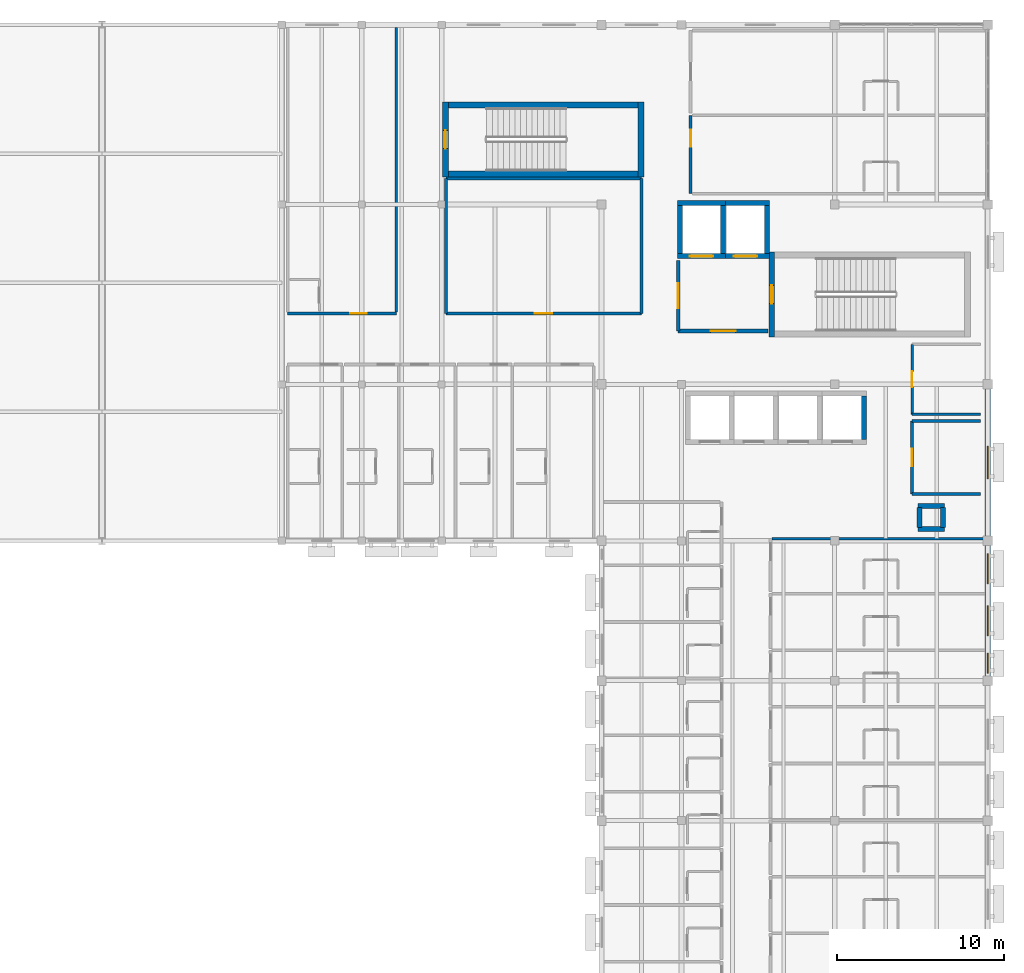
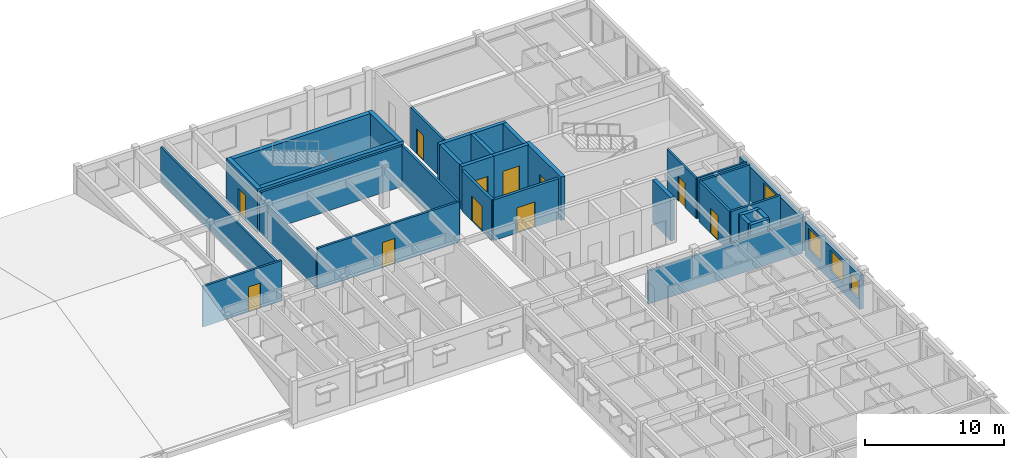
# One storey, part 33 of 40: 34 walls, 11 doors, 4 windows, 15 openings.
"""IFC4 building model written with IfcOpenShell, lengths in metres."""

import ifcopenshell
import ifcopenshell.guid

model = None  # the IFC model being written
_history = None  # IfcOwnerHistory: only IFC2X3 demands one
_inside = {}  # id of a spatial element -> (the spatial element, [elements in it])
_under = {}  # id of a project, library or spatial element -> (it, [spatial elements below it])
_declared = {}  # id of a project -> (the project, [libraries it declares])
_typed = {}  # id of a type object -> (the type object, [elements of that type])
_made_of = {}  # id of a material, layer set ... -> (it, [elements and type objects made of it])


def new_model(schema):
    """Start an empty IFC model of exactly this schema.

    Asked for "IFC4X3", IfcOpenShell would pick the latest addendum, in which some entities
    have other attributes; the version numbers below select the first issue.
    IFC2X3 requires an IfcOwnerHistory on every rooted entity: one is made here for all.
    """
    global model, _history
    if schema == "IFC4X3":
        model = ifcopenshell.file(schema_version=(4, 3, 0, 0))
    else:
        model = ifcopenshell.file(schema=schema)
    _inside.clear()
    _under.clear()
    _declared.clear()
    _typed.clear()
    _made_of.clear()
    _history = None
    if model.schema == "IFC2X3":
        org = make("IfcOrganization", Name="unknown")
        user = make(
            "IfcPersonAndOrganization",
            ThePerson=make("IfcPerson", FamilyName="unknown"),
            TheOrganization=org,
        )
        app = make(
            "IfcApplication",
            ApplicationDeveloper=org,
            Version="unknown",
            ApplicationFullName="unknown",
            ApplicationIdentifier="unknown",
        )
        _history = make(
            "IfcOwnerHistory",
            OwningUser=user,
            OwningApplication=app,
            ChangeAction="ADDED",
            CreationDate=0,
        )
    return model


def make(cls, **values):
    """One entity of the class cls with the attributes given. An attribute that is None is left unset."""
    return model.create_entity(
        cls, **{name: value for name, value in values.items() if value is not None}
    )


def rooted(cls, **values):
    """An entity with a GlobalId (a new one), such as an element, a storey or a relation."""
    return make(cls, GlobalId=ifcopenshell.guid.new(), OwnerHistory=_history, **values)


def si_unit(unit_type, name, prefix=None):
    """IfcSIUnit, for example si_unit("LENGTHUNIT", "METRE", prefix="MILLI")."""
    return make("IfcSIUnit", UnitType=unit_type, Prefix=prefix, Name=name)


def assignment(units):
    """IfcUnitAssignment: the units of a project."""
    return None if units is None else make("IfcUnitAssignment", Units=units)


def point(xyz):
    """IfcCartesianPoint."""
    return None if xyz is None else make("IfcCartesianPoint", Coordinates=xyz)


def direction(xyz):
    """IfcDirection."""
    return None if xyz is None else make("IfcDirection", DirectionRatios=xyz)


def frame(location, z_axis=None, x_axis=None):
    """IfcAxis2Placement3D, a coordinate frame: its origin and axes. An axis left out is left unset."""
    return make(
        "IfcAxis2Placement3D",
        Location=point(location),
        Axis=direction(z_axis),
        RefDirection=direction(x_axis),
    )


def frame_2d(location, x_axis=None):
    """IfcAxis2Placement2D, a coordinate frame in the plane: its origin and x axis."""
    return make(
        "IfcAxis2Placement2D", Location=point(location), RefDirection=direction(x_axis)
    )


def origin():
    """The frame at (0, 0, 0) with its axes left unset."""
    return frame((0.0, 0.0, 0.0))


def place(relative_to, where):
    """IfcLocalPlacement: puts the frame where relative to a parent placement (None: the world)."""
    return make(
        "IfcLocalPlacement", PlacementRelTo=relative_to, RelativePlacement=where
    )


def context(
    kind, dimensions, precision=None, world=None, true_north=None, identifier=None
):
    """IfcGeometricRepresentationContext, for example the 3D "Model" context."""
    return make(
        "IfcGeometricRepresentationContext",
        ContextIdentifier=identifier,
        ContextType=kind,
        CoordinateSpaceDimension=dimensions,
        Precision=precision,
        WorldCoordinateSystem=world,
        TrueNorth=true_north,
    )


def subcontext(parent, identifier, kind, view, scale=None):
    """IfcGeometricRepresentationSubContext, for example "Body" below "Model"."""
    return make(
        "IfcGeometricRepresentationSubContext",
        ContextIdentifier=identifier,
        ContextType=kind,
        ParentContext=parent,
        TargetScale=scale,
        TargetView=view,
    )


def project(units=None, contexts=None):
    """IfcProject with its units and contexts."""
    return rooted(
        "IfcProject",
        Name="project",
        RepresentationContexts=contexts,
        UnitsInContext=assignment(units),
    )


def spatial(cls, under=None, at=None, **own):
    """A site, building, storey or space (cls), placed at a placement, below another one or the project."""
    s = rooted(cls, ObjectPlacement=at, **own)
    if under is not None:
        _under.setdefault(under.id(), (under, []))[1].append(s)
    return s


def profile(cls, at=None, kind="AREA", **sizes):
    """A parametric profile (cls). Its sizes go by their IFC names, for example OverallWidth=200.0."""
    return make(cls, ProfileType=kind, Position=at, **sizes)


def rectangle(**sizes):
    """IfcRectangleProfileDef."""
    return profile("IfcRectangleProfileDef", **sizes)


def extrude(swept, where, along, depth):
    """IfcExtrudedAreaSolid: the profile swept, set in the frame where, extruded along a direction by depth."""
    return make(
        "IfcExtrudedAreaSolid",
        SweptArea=swept,
        Position=where,
        ExtrudedDirection=direction(along),
        Depth=depth,
    )


def shape(context_of_items, identifier, shape_type, items):
    """IfcShapeRepresentation: the items that make up one representation, for example the "Body"."""
    return make(
        "IfcShapeRepresentation",
        ContextOfItems=context_of_items,
        RepresentationIdentifier=identifier,
        RepresentationType=shape_type,
        Items=items,
    )


def material(Name=None, Category=None):
    """IfcMaterial."""
    return make("IfcMaterial", Name=Name, Category=Category)


def layer(
    of_material, thickness, ventilated=None, Name=None, Category=None, Priority=None
):
    """IfcMaterialLayer: one layer of a wall or slab, of a material (None: an air gap)."""
    return make(
        "IfcMaterialLayer",
        Material=of_material,
        LayerThickness=thickness,
        IsVentilated=ventilated,
        Name=Name,
        Category=Category,
        Priority=Priority,
    )


def layer_set(layers, Name=None):
    """IfcMaterialLayerSet."""
    return make("IfcMaterialLayerSet", MaterialLayers=layers, LayerSetName=Name)


def made_of(thing, what):
    """Note that an element or type object is made of a material, layer set ...; save() writes the relation."""
    if what is not None:
        _made_of.setdefault(what.id(), (what, []))[1].append(thing)
    return thing


def type_object(cls, material=None, **own):
    """A type object (cls), such as IfcWallType, which elements share."""
    return made_of(rooted(cls, **own), material)


def element(
    cls,
    number,
    at=None,
    inside=None,
    cuts=None,
    type_object=None,
    material=None,
    context=None,
    identifier="Body",
    shape_type=None,
    held_by="IfcProductDefinitionShape",
    body=None,
    shapes=None,
    **own,
):
    """One element of the class cls, such as IfcWall. Its Tag is "e" and its number.

    at: its placement. inside: the storey or other place that contains it. cuts: it is an
    opening in that element (IfcRelVoidsElement). A single representation is given by context,
    identifier, shape_type and body (its items); several are given by shapes. held_by: the class
    of the entity that holds the representations. save() writes the other relations.
    """
    e = rooted(cls, Tag="e%d" % number, ObjectPlacement=at, **own)
    if body is not None:
        shapes = [shape(context, identifier, shape_type, body)]
    if shapes is not None:
        e.Representation = make(held_by, Representations=shapes)
    if inside is not None:
        _inside.setdefault(inside.id(), (inside, []))[1].append(e)
    if cuts is not None:
        rooted(
            "IfcRelVoidsElement", RelatingBuildingElement=cuts, RelatedOpeningElement=e
        )
    if type_object is not None:
        _typed.setdefault(type_object.id(), (type_object, []))[1].append(e)
    return made_of(e, material)


def fill(opening, filler):
    """IfcRelFillsElement: the door or window that sits in an opening."""
    return rooted(
        "IfcRelFillsElement",
        RelatingOpeningElement=opening,
        RelatedBuildingElement=filler,
    )


def aggregate(whole, parts):
    """IfcRelAggregates: a whole, such as a stair, and the parts it consists of."""
    return rooted("IfcRelAggregates", RelatingObject=whole, RelatedObjects=parts)


def save(model, path):
    """Write the relations noted so far, then the file.

    IfcRelAggregates (storeys below a building ...), IfcRelContainedInSpatialStructure (elements
    in a storey), IfcRelDefinesByType, IfcRelAssociatesMaterial and IfcRelDeclares: one each for
    every whole, place, type object, material and project.
    """
    for whole, parts in _under.values():
        aggregate(whole, parts)
    for where, things in _inside.values():
        rooted(
            "IfcRelContainedInSpatialStructure",
            RelatedElements=things,
            RelatingStructure=where,
        )
    for kind, things in _typed.values():
        rooted("IfcRelDefinesByType", RelatedObjects=things, RelatingType=kind)
    for what, things in _made_of.values():
        rooted("IfcRelAssociatesMaterial", RelatedObjects=things, RelatingMaterial=what)
    for by, libraries in _declared.values():
        rooted("IfcRelDeclares", RelatingContext=by, RelatedDefinitions=libraries)
    model.write(path)


model = new_model("IFC4")

# Units and contexts
model_context = context("Model", 3, precision=1e-05, world=origin(), true_north=direction((0.0, 1.0)))
body_context = subcontext(model_context, "Body", "Model", "MODEL_VIEW")
ifc_project = project(units=[si_unit("LENGTHUNIT", "METRE"), si_unit("AREAUNIT", "SQUARE_METRE"), si_unit("VOLUMEUNIT", "CUBIC_METRE"), si_unit("PLANEANGLEUNIT", "RADIAN"), si_unit("MASSUNIT", "GRAM", prefix="KILO")], contexts=[model_context])

# Site, building, storey
site_placement = place(None, origin())
site = spatial("IfcSite", under=ifc_project, at=site_placement, CompositionType="ELEMENT")
building_placement = place(site_placement, origin())
building = spatial("IfcBuilding", under=site, at=building_placement, Name="Veldera Park Congress Hotel", CompositionType="ELEMENT")
storey_placement = place(building_placement, frame((0.0, 0.0, 16.199951171875)))
storey = spatial("IfcBuildingStorey", under=building, at=storey_placement, Name="L03", CompositionType="ELEMENT", Elevation=16.199951171875)

# Wall, openings, windows
ifc_material_1 = material(Name="Cross-laminated timber CLT V2M1.1", Category="wood")
ifc_layer_1 = layer(ifc_material_1, 0.320068359375)
ifc_layer_set_1 = layer_set([ifc_layer_1], Name="Cross-laminated timber CLT V2M1.1")
wall_type_1 = type_object("IfcWallType", Name="EW-CLT320", PredefinedType="STANDARD", material=ifc_layer_set_1)
wall_1_placement = place(storey_placement, frame((84.0, 18.8779296875, 0.0), z_axis=(0.0, 0.0, 1.0), x_axis=(0.0, 1.0, 0.0)))
wall_1 = element("IfcWall", 1, at=wall_1_placement, inside=storey, type_object=wall_type_1, Name="L03 Exterior Wall EW3-L03-0219", PredefinedType="STANDARD", context=body_context, shape_type="SweptSolid", body=[
    extrude(rectangle(XDim=7.843994140625, YDim=0.320068359375, at=frame_2d((3.921875, 0.0))), origin(), (0.0, 0.0, 1.0), 2.97509765625),
])
opening_1_placement = place(wall_1_placement, frame((0.176025390625, 0.0, 0.85009765625)))
opening_1 = element("IfcOpeningElement", 2, at=opening_1_placement, cuts=wall_1, Name="Opening WIN-1200", PredefinedType="OPENING", context=body_context, shape_type="SweptSolid", body=[
    extrude(rectangle(XDim=1.199951171875, YDim=1.550048828125, at=frame_2d((0.60009765625, 0.77490234375))), frame((0.0, 0.172119140625, 0.0), z_axis=(0.0, -1.0, 0.0), x_axis=(1.0, 0.0, 0.0)), (0.0, 0.0, 1.0), 0.343994140625),
])
opening_2_placement = place(wall_1_placement, frame((2.412109375, 0.0, 0.85009765625)))
opening_2 = element("IfcOpeningElement", 3, at=opening_2_placement, cuts=wall_1, Name="Opening WIN-1800", PredefinedType="OPENING", context=body_context, shape_type="SweptSolid", body=[
    extrude(rectangle(XDim=1.800048828125, YDim=1.85009765625, at=frame_2d((0.89990234375, 0.925048828125))), frame((0.0, 0.172119140625, 0.0), z_axis=(0.0, -1.0, 0.0), x_axis=(1.0, 0.0, 0.0)), (0.0, 0.0, 1.0), 0.343994140625),
])
opening_3_placement = place(wall_1_placement, frame((5.55810546875, 0.0, 0.85009765625)))
opening_3 = element("IfcOpeningElement", 4, at=opening_3_placement, cuts=wall_1, Name="Opening WIN-1800", PredefinedType="OPENING", context=body_context, shape_type="SweptSolid", body=[
    extrude(rectangle(XDim=1.800048828125, YDim=1.85009765625, at=frame_2d((0.89990234375, 0.925048828125))), frame((0.0, 0.172119140625, 0.0), z_axis=(0.0, -1.0, 0.0), x_axis=(1.0, 0.0, 0.0)), (0.0, 0.0, 1.0), 0.343994140625),
])
ifc_material_2 = material(Name="Low-E Triple Insulating Glass Unit (SHGC 0.22)", Category="glass")
window_type_1 = type_object("IfcWindowType", Name="WIN-1200", PartitioningType="SINGLE_PANEL", PredefinedType="WINDOW", material=ifc_material_2)
window_1_placement = place(opening_1_placement, origin())
window_1 = element("IfcWindow", 5, at=window_1_placement, inside=storey, type_object=window_type_1, Name="L03 Window WIN-1200 433", OverallHeight=1.550048828125, OverallWidth=1.199951171875, PartitioningType="SINGLE_PANEL", PredefinedType="WINDOW", context=body_context, shape_type="SweptSolid", body=[
    extrude(rectangle(XDim=1.199951171875, YDim=1.550048828125, at=frame_2d((0.60009765625, 0.77490234375))), frame((0.0, 0.030029296875, 0.0), z_axis=(0.0, -1.0, 0.0), x_axis=(1.0, 0.0, 0.0)), (0.0, 0.0, 1.0), 0.06005859375),
])
fill(opening_1, window_1)
window_type_2 = type_object("IfcWindowType", Name="WIN-1800", PartitioningType="SINGLE_PANEL", PredefinedType="WINDOW", material=ifc_material_2)
window_2_placement = place(opening_2_placement, origin())
window_2 = element("IfcWindow", 6, at=window_2_placement, inside=storey, type_object=window_type_2, Name="L03 Window WIN-1800 434", OverallHeight=1.85009765625, OverallWidth=1.800048828125, PartitioningType="SINGLE_PANEL", PredefinedType="WINDOW", context=body_context, shape_type="SweptSolid", body=[
    extrude(rectangle(XDim=1.800048828125, YDim=1.85009765625, at=frame_2d((0.89990234375, 0.925048828125))), frame((0.0, 0.030029296875, 0.0), z_axis=(0.0, -1.0, 0.0), x_axis=(1.0, 0.0, 0.0)), (0.0, 0.0, 1.0), 0.06005859375),
])
fill(opening_2, window_2)
window_3_placement = place(opening_3_placement, origin())
window_3 = element("IfcWindow", 7, at=window_3_placement, inside=storey, type_object=window_type_2, Name="L03 Window WIN-1800 435", OverallHeight=1.85009765625, OverallWidth=1.800048828125, PartitioningType="SINGLE_PANEL", PredefinedType="WINDOW", context=body_context, shape_type="SweptSolid", body=[
    extrude(rectangle(XDim=1.800048828125, YDim=1.85009765625, at=frame_2d((0.89990234375, 0.925048828125))), frame((0.0, 0.030029296875, 0.0), z_axis=(0.0, -1.0, 0.0), x_axis=(1.0, 0.0, 0.0)), (0.0, 0.0, 1.0), 0.06005859375),
])
fill(opening_3, window_3)

# Wall, opening, window
wall_2_placement = place(storey_placement, frame((84.0, 27.278076171875, 0.0), z_axis=(0.0, 0.0, 1.0), x_axis=(0.0, 1.0, 0.0)))
wall_2 = element("IfcWall", 8, at=wall_2_placement, inside=storey, type_object=wall_type_1, Name="L03 Exterior Wall EW3-L03-0220", PredefinedType="STANDARD", context=body_context, shape_type="SweptSolid", body=[
    extrude(rectangle(XDim=8.843994140625, YDim=0.320068359375, at=frame_2d((4.421875, 0.0))), origin(), (0.0, 0.0, 1.0), 2.97509765625),
])
opening_4_placement = place(wall_2_placement, frame((3.447021484375, 0.0, 0.85009765625)))
opening_4 = element("IfcOpeningElement", 9, at=opening_4_placement, cuts=wall_2, Name="Opening WIN-1950", PredefinedType="OPENING", context=body_context, shape_type="SweptSolid", body=[
    extrude(rectangle(XDim=1.949951171875, YDim=1.89990234375, at=frame_2d((0.97509765625, 0.949951171875))), frame((0.0, 0.172119140625, 0.0), z_axis=(0.0, -1.0, 0.0), x_axis=(1.0, 0.0, 0.0)), (0.0, 0.0, 1.0), 0.343994140625),
])
window_type_3 = type_object("IfcWindowType", Name="WIN-1950", PartitioningType="DOUBLE_PANEL_VERTICAL", PredefinedType="WINDOW", material=ifc_material_2)
window_4_placement = place(opening_4_placement, origin())
window_4 = element("IfcWindow", 10, at=window_4_placement, inside=storey, type_object=window_type_3, Name="L03 Window WIN-1950 189", OverallHeight=1.89990234375, OverallWidth=1.949951171875, PartitioningType="DOUBLE_PANEL_VERTICAL", PredefinedType="WINDOW", context=body_context, shape_type="SweptSolid", body=[
    extrude(rectangle(XDim=1.949951171875, YDim=1.89990234375, at=frame_2d((0.97509765625, 0.949951171875))), frame((0.0, 0.030029296875, 0.0), z_axis=(0.0, -1.0, 0.0), x_axis=(1.0, 0.0, 0.0)), (0.0, 0.0, 1.0), 0.06005859375),
])
fill(opening_4, window_4)

# Walls
ifc_material_3 = material(Name="Fire-Rated Gypsum Board on Cold-Formed Steel Studs", Category="steel")
ifc_layer_2 = layer(ifc_material_3, 0.179931640625)
ifc_layer_set_2 = layer_set([ifc_layer_2], Name="Fire-Rated Gypsum Board on Cold-Formed Steel Studs")
wall_type_2 = type_object("IfcWallType", Name="IW-CORR180", PredefinedType="PARTITIONING", material=ifc_layer_set_2)
for number, where, z_axis, x_axis, name in (
    (11, (79.449951171875, 29.800048828125, 0.0), (0.0, 0.0, 1.0), (1.0, 0.0, 0.0), "L03 Partition Wall IW3-L03-00222"),
    (12, (83.550048828125, 34.199951171875, 0.0), (0.0, 0.0, 1.0), (-1.0, 0.0, 0.0), "L03 Partition Wall IW3-L03-00223"),
):
    element("IfcWall", number, at=place(storey_placement, frame(where, z_axis=z_axis, x_axis=x_axis)), inside=storey, type_object=wall_type_2, Name=name, PredefinedType="PARTITIONING", context=body_context, shape_type="SweptSolid", body=[
        extrude(rectangle(XDim=4.10009765625, YDim=0.179931640625, at=frame_2d((2.050048828125, 0.0))), origin(), (0.0, 0.0, 1.0), 3.56005859375),
    ])

# Wall, opening, door
wall_3_placement = place(storey_placement, frame((79.449951171875, 34.199951171875, 0.0), z_axis=(0.0, 0.0, 1.0), x_axis=(0.0, -1.0, 0.0)))
wall_3 = element("IfcWall", 13, at=wall_3_placement, inside=storey, type_object=wall_type_2, Name="L03 Partition Wall IW3-L03-00224", PredefinedType="PARTITIONING", context=body_context, shape_type="SweptSolid", body=[
    extrude(rectangle(XDim=4.39990234375, YDim=0.179931640625, at=frame_2d((2.199951171875, 0.0))), origin(), (0.0, 0.0, 1.0), 3.56005859375),
])
opening_5_placement = place(wall_3_placement, frame((1.675048828125, 0.0, 0.0)))
opening_5 = element("IfcOpeningElement", 14, at=opening_5_placement, cuts=wall_3, Name="Opening ID-MEET105", PredefinedType="OPENING", context=body_context, shape_type="SweptSolid", body=[
    extrude(rectangle(XDim=1.050048828125, YDim=2.199951171875, at=frame_2d((0.52490234375, 1.10009765625))), frame((0.0, 0.10205078125, 0.0), z_axis=(0.0, -1.0, 0.0), x_axis=(1.0, 0.0, 0.0)), (0.0, 0.0, 1.0), 0.203857421875),
])
ifc_material_4 = material(Name="Solid Core White Oak Architectural Door", Category="wood")
door_type_1 = type_object("IfcDoorType", Name="ID-MEET105", OperationType="NOTDEFINED", PredefinedType="DOOR", material=ifc_material_4)
door_1_placement = place(opening_5_placement, origin())
door_1 = element("IfcDoor", 15, at=door_1_placement, inside=storey, type_object=door_type_1, Name="L03 L03 Housekeeping and Linen Store Door ID3-L03-0080 (DR3-ID3-L03-0080)", OperationType="SINGLE_SWING_LEFT", OverallHeight=2.199951171875, OverallWidth=1.050048828125, PredefinedType="DOOR", context=body_context, shape_type="SweptSolid", body=[
    extrude(rectangle(XDim=1.050048828125, YDim=2.199951171875, at=frame_2d((0.52490234375, 1.10009765625))), frame((0.0, 0.02490234375, 0.0), z_axis=(0.0, -1.0, 0.0), x_axis=(1.0, 0.0, 0.0)), (0.0, 0.0, 1.0), 0.050048828125),
])
fill(opening_5, door_1)

wall_4_placement = place(storey_placement, frame((51.449951171875, 40.64990234375, 0.0), z_axis=(0.0, 0.0, 1.0), x_axis=(1.0, 0.0, 0.0)))
wall_4 = element("IfcWall", 16, at=wall_4_placement, inside=storey, type_object=wall_type_2, Name="L03 Partition Wall IW3-L03-00228", PredefinedType="PARTITIONING", context=body_context, shape_type="SweptSolid", body=[
    extrude(rectangle(XDim=11.75, YDim=0.179931640625, at=frame_2d((5.875, 0.0))), origin(), (0.0, 0.0, 1.0), 3.56005859375),
])
opening_6_placement = place(wall_4_placement, frame((5.35009765625, 0.0, 0.0)))
opening_6 = element("IfcOpeningElement", 17, at=opening_6_placement, cuts=wall_4, Name="Opening ID-MEET105", PredefinedType="OPENING", context=body_context, shape_type="SweptSolid", body=[
    extrude(rectangle(XDim=1.050048828125, YDim=2.199951171875, at=frame_2d((0.52490234375, 1.10009765625))), frame((0.0, 0.10205078125, 0.0), z_axis=(0.0, -1.0, 0.0), x_axis=(1.0, 0.0, 0.0)), (0.0, 0.0, 1.0), 0.203857421875),
])
door_2_placement = place(opening_6_placement, origin())
door_2 = element("IfcDoor", 18, at=door_2_placement, inside=storey, type_object=door_type_1, Name="L03 L03 North Garden Executive Boardroom Door ID3-L03-0082 (DR3-ID3-L03-0082)", OperationType="SINGLE_SWING_LEFT", OverallHeight=2.199951171875, OverallWidth=1.050048828125, PredefinedType="DOOR", context=body_context, shape_type="SweptSolid", body=[
    extrude(rectangle(XDim=1.050048828125, YDim=2.199951171875, at=frame_2d((0.52490234375, 1.10009765625))), frame((0.0, 0.02490234375, 0.0), z_axis=(0.0, -1.0, 0.0), x_axis=(1.0, 0.0, 0.0)), (0.0, 0.0, 1.0), 0.050048828125),
])
fill(opening_6, door_2)

# Walls
wall_5_placement = place(storey_placement, frame((63.199951171875, 40.64990234375, 0.0), z_axis=(0.0, 0.0, 1.0), x_axis=(0.0, 1.0, 0.0)))
element("IfcWall", 19, at=wall_5_placement, inside=storey, type_object=wall_type_2, Name="L03 Partition Wall IW3-L03-00229", PredefinedType="PARTITIONING", context=body_context, shape_type="SweptSolid", body=[
    extrude(rectangle(XDim=8.10009765625, YDim=0.179931640625, at=frame_2d((4.050048828125, 0.0))), origin(), (0.0, 0.0, 1.0), 3.56005859375),
])
wall_6_placement = place(storey_placement, frame((63.199951171875, 48.75, 0.0), z_axis=(0.0, 0.0, 1.0), x_axis=(-1.0, 0.0, 0.0)))
element("IfcWall", 20, at=wall_6_placement, inside=storey, type_object=wall_type_2, Name="L03 Partition Wall IW3-L03-00230", PredefinedType="PARTITIONING", context=body_context, shape_type="SweptSolid", body=[
    extrude(rectangle(XDim=11.75, YDim=0.179931640625, at=frame_2d((5.875, 0.0))), origin(), (0.0, 0.0, 1.0), 3.56005859375),
])
wall_7_placement = place(storey_placement, frame((51.449951171875, 48.75, 0.0), z_axis=(0.0, 0.0, 1.0), x_axis=(0.0, -1.0, 0.0)))
element("IfcWall", 21, at=wall_7_placement, inside=storey, type_object=wall_type_2, Name="L03 Partition Wall IW3-L03-00231", PredefinedType="PARTITIONING", context=body_context, shape_type="SweptSolid", body=[
    extrude(rectangle(XDim=8.10009765625, YDim=0.179931640625, at=frame_2d((4.050048828125, 0.0))), origin(), (0.0, 0.0, 1.0), 2.9150390625),
])

# Wall, opening, door
wall_8_placement = place(storey_placement, frame((66.14990234375, 52.550048828125, 0.0), z_axis=(0.0, 0.0, 1.0), x_axis=(0.0, -1.0, 0.0)))
wall_8 = element("IfcWall", 22, at=wall_8_placement, inside=storey, type_object=wall_type_2, Name="L03 Corridor Wall IW3-L03-00786", PredefinedType="PARTITIONING", context=body_context, shape_type="SweptSolid", body=[
    extrude(rectangle(XDim=4.699951171875, YDim=0.179931640625, at=frame_2d((2.35009765625, 0.0))), origin(), (0.0, 0.0, 1.0), 3.56005859375),
])
opening_7_placement = place(wall_8_placement, frame((0.8701171875, 0.0, 0.0)))
opening_7 = element("IfcOpeningElement", 23, at=opening_7_placement, cuts=wall_8, Name="Opening ID-UNIT100", PredefinedType="OPENING", context=body_context, shape_type="SweptSolid", body=[
    extrude(rectangle(XDim=1.0, YDim=2.199951171875, at=frame_2d((0.5, 1.10009765625))), frame((0.0, 0.10205078125, 0.0), z_axis=(0.0, -1.0, 0.0), x_axis=(1.0, 0.0, 0.0)), (0.0, 0.0, 1.0), 0.203857421875),
])
door_type_2 = type_object("IfcDoorType", Name="ID-UNIT100", OperationType="NOTDEFINED", PredefinedType="DOOR", material=ifc_material_4)
door_3_placement = place(opening_7_placement, origin())
door_3 = element("IfcDoor", 24, at=door_3_placement, inside=storey, type_object=door_type_2, Name="L03 Guestroom 092 Entry Door (DR3-UD3-L03-092)", OperationType="SINGLE_SWING_RIGHT", OverallHeight=2.199951171875, OverallWidth=1.0, PredefinedType="DOOR", context=body_context, shape_type="SweptSolid", body=[
    extrude(rectangle(XDim=1.0, YDim=2.199951171875, at=frame_2d((0.5, 1.10009765625))), frame((0.0, 0.02490234375, 0.0), z_axis=(0.0, -1.0, 0.0), x_axis=(1.0, 0.0, 0.0)), (0.0, 0.0, 1.0), 0.050048828125),
])
fill(opening_7, door_3)

wall_9_placement = place(storey_placement, frame((41.949951171875, 40.64990234375, 0.0), z_axis=(0.0, 0.0, 1.0), x_axis=(1.0, 0.0, 0.0)))
wall_9 = element("IfcWall", 25, at=wall_9_placement, inside=storey, type_object=wall_type_2, Name="L03 Corridor Wall IW3-L03-00797", PredefinedType="PARTITIONING", context=body_context, shape_type="SweptSolid", body=[
    extrude(rectangle(XDim=6.530029296875, YDim=0.179931640625, at=frame_2d((3.26513671875, 0.0))), origin(), (0.0, 0.0, 1.0), 3.56005859375),
])
opening_8_placement = place(wall_9_placement, frame((3.7451171875, 0.0, 0.0)))
opening_8 = element("IfcOpeningElement", 26, at=opening_8_placement, cuts=wall_9, Name="Opening ID-UNIT100", PredefinedType="OPENING", context=body_context, shape_type="SweptSolid", body=[
    extrude(rectangle(XDim=1.0, YDim=2.199951171875, at=frame_2d((0.5, 1.10009765625))), frame((0.0, 0.10205078125, 0.0), z_axis=(0.0, -1.0, 0.0), x_axis=(1.0, 0.0, 0.0)), (0.0, 0.0, 1.0), 0.203857421875),
])
door_4_placement = place(opening_8_placement, frame((1.0, 0.0, 0.0), z_axis=(0.0, 0.0, 1.0), x_axis=(-1.0, 0.0, 0.0)))
door_4 = element("IfcDoor", 27, at=door_4_placement, inside=storey, type_object=door_type_2, Name="L03 Guestroom 094 Entry Door (DR3-UD3-L03-094)", OperationType="SINGLE_SWING_RIGHT", OverallHeight=2.199951171875, OverallWidth=1.0, PredefinedType="DOOR", context=body_context, shape_type="SweptSolid", body=[
    extrude(rectangle(XDim=1.0, YDim=2.199951171875, at=frame_2d((0.5, 1.10009765625))), frame((0.0, 0.02490234375, 0.0), z_axis=(0.0, -1.0, 0.0), x_axis=(1.0, 0.0, 0.0)), (0.0, 0.0, 1.0), 0.050048828125),
])
fill(opening_8, door_4)

ifc_material_5 = material(Name="Concrete f'c 40 MPa (5,800 psi)", Category="concrete")
ifc_layer_3 = layer(ifc_material_5, 0.219970703125)
ifc_layer_set_3 = layer_set([ifc_layer_3], Name="Concrete f'c 40 MPa (5,800 psi)")
wall_type_3 = type_object("IfcWallType", Name="IW-FIRE220", PredefinedType="STANDARD", material=ifc_layer_set_3)
wall_10_placement = place(storey_placement, frame((65.39990234375, 39.60009765625, 0.0), z_axis=(0.0, 0.0, 1.0), x_axis=(1.0, 0.0, 0.0)))
wall_10 = element("IfcWall", 28, at=wall_10_placement, inside=storey, type_object=wall_type_3, Name="L03 Partition Wall IW3-L03-00213", PredefinedType="STANDARD", context=body_context, shape_type="SweptSolid", body=[
    extrude(rectangle(XDim=5.400146484375, YDim=0.219970703125, at=frame_2d((2.7001953125, 0.0))), origin(), (0.0, 0.0, 1.0), 3.56005859375),
])
opening_9_placement = place(wall_10_placement, frame((1.949951171875, 0.0, 0.0)))
opening_9 = element("IfcOpeningElement", 29, at=opening_9_placement, cuts=wall_10, Name="Opening ID-LOB150", PredefinedType="OPENING", context=body_context, shape_type="SweptSolid", body=[
    extrude(rectangle(XDim=1.5, YDim=2.199951171875, at=frame_2d((0.75, 1.10009765625))), frame((0.0, 0.1220703125, 0.0), z_axis=(0.0, -1.0, 0.0), x_axis=(1.0, 0.0, 0.0)), (0.0, 0.0, 1.0), 0.243896484375),
])
ifc_material_6 = material(Name="Hollow Metal Fire-Rated Steel Door", Category="steel")
door_type_3 = type_object("IfcDoorType", Name="ID-LOB150", OperationType="DOUBLE_DOOR_SINGLE_SWING", PredefinedType="DOOR", material=ifc_material_6)
door_5_placement = place(opening_9_placement, origin())
door_5 = element("IfcDoor", 30, at=door_5_placement, inside=storey, type_object=door_type_3, Name="L03 Firefighting Lobby Door ID3-L03-0075 (DR3-ID3-L03-0075)", OperationType="DOUBLE_DOOR_SINGLE_SWING", OverallHeight=2.199951171875, OverallWidth=1.5, PredefinedType="DOOR", context=body_context, shape_type="SweptSolid", body=[
    extrude(rectangle(XDim=1.5, YDim=2.199951171875, at=frame_2d((0.75, 1.10009765625))), frame((0.0, 0.02490234375, 0.0), z_axis=(0.0, -1.0, 0.0), x_axis=(1.0, 0.0, 0.0)), (0.0, 0.0, 1.0), 0.050048828125),
])
fill(opening_9, door_5)

wall_11_placement = place(storey_placement, frame((65.39990234375, 43.85009765625, 0.0), z_axis=(0.0, 0.0, 1.0), x_axis=(0.0, -1.0, 0.0)))
wall_11 = element("IfcWall", 31, at=wall_11_placement, inside=storey, type_object=wall_type_3, Name="L03 Partition Wall IW3-L03-00214", PredefinedType="STANDARD", context=body_context, shape_type="SweptSolid", body=[
    extrude(rectangle(XDim=4.25, YDim=0.219970703125, at=frame_2d((2.125, 0.0))), origin(), (0.0, 0.0, 1.0), 3.56005859375),
])
opening_10_placement = place(wall_11_placement, frame((1.375, 0.0, 0.0)))
opening_10 = element("IfcOpeningElement", 32, at=opening_10_placement, cuts=wall_11, Name="Opening ID-LOB150", PredefinedType="OPENING", context=body_context, shape_type="SweptSolid", body=[
    extrude(rectangle(XDim=1.5, YDim=2.199951171875, at=frame_2d((0.75, 1.10009765625))), frame((0.0, 0.1220703125, 0.0), z_axis=(0.0, -1.0, 0.0), x_axis=(1.0, 0.0, 0.0)), (0.0, 0.0, 1.0), 0.243896484375),
])
door_6_placement = place(opening_10_placement, origin())
door_6 = element("IfcDoor", 33, at=door_6_placement, inside=storey, type_object=door_type_3, Name="L03 Firefighting Lobby Door ID3-L03-0076 (DR3-ID3-L03-0076)", OperationType="DOUBLE_DOOR_SINGLE_SWING", OverallHeight=2.199951171875, OverallWidth=1.5, PredefinedType="DOOR", context=body_context, shape_type="SweptSolid", body=[
    extrude(rectangle(XDim=1.5, YDim=2.199951171875, at=frame_2d((0.75, 1.10009765625))), frame((0.0, 0.02490234375, 0.0), z_axis=(0.0, -1.0, 0.0), x_axis=(1.0, 0.0, 0.0)), (0.0, 0.0, 1.0), 0.050048828125),
])
fill(opening_10, door_6)

# Wall
ifc_layer_4 = layer(ifc_material_3, 0.14990234375)
ifc_layer_set_4 = layer_set([ifc_layer_4], Name="Fire-Rated Gypsum Board on Cold-Formed Steel Studs")
wall_type_4 = type_object("IfcWallType", Name="IW-PLMB150", PredefinedType="PLUMBINGWALL", material=ifc_layer_set_4)
wall_12_placement = place(storey_placement, frame((79.449951171875, 34.60009765625, 0.0), z_axis=(0.0, 0.0, 1.0), x_axis=(1.0, 0.0, 0.0)))
element("IfcWall", 34, at=wall_12_placement, inside=storey, type_object=wall_type_4, Name="L03 Partition Wall IW3-L03-00225", PredefinedType="PLUMBINGWALL", context=body_context, shape_type="SweptSolid", body=[
    extrude(rectangle(XDim=4.10009765625, YDim=0.14990234375, at=frame_2d((2.050048828125, 0.0))), origin(), (0.0, 0.0, 1.0), 3.56005859375),
])

# Wall, opening, door
wall_13_placement = place(storey_placement, frame((79.449951171875, 38.800048828125, 0.0), z_axis=(0.0, 0.0, 1.0), x_axis=(0.0, -1.0, 0.0)))
wall_13 = element("IfcWall", 35, at=wall_13_placement, inside=storey, type_object=wall_type_4, Name="L03 Partition Wall IW3-L03-00227", PredefinedType="PLUMBINGWALL", context=body_context, shape_type="SweptSolid", body=[
    extrude(rectangle(XDim=4.199951171875, YDim=0.14990234375, at=frame_2d((2.10009765625, 0.0))), origin(), (0.0, 0.0, 1.0), 3.56005859375),
])
opening_11_placement = place(wall_13_placement, frame((1.625, 0.0, 0.0)))
opening_11 = element("IfcOpeningElement", 36, at=opening_11_placement, cuts=wall_13, Name="Opening ID-WC095", PredefinedType="OPENING", context=body_context, shape_type="SweptSolid", body=[
    extrude(rectangle(XDim=0.949951171875, YDim=2.14990234375, at=frame_2d((0.47509765625, 1.074951171875))), frame((0.0, 0.0869140625, 0.0), z_axis=(0.0, -1.0, 0.0), x_axis=(1.0, 0.0, 0.0)), (0.0, 0.0, 1.0), 0.173828125),
])
door_type_4 = type_object("IfcDoorType", Name="ID-WC095", OperationType="NOTDEFINED", PredefinedType="DOOR", material=ifc_material_4)
door_7_placement = place(opening_11_placement, origin())
door_7 = element("IfcDoor", 37, at=door_7_placement, inside=storey, type_object=door_type_4, Name="L03 L03 Public Accessible WC Door ID3-L03-0081 (DR3-ID3-L03-0081)", OperationType="SINGLE_SWING_RIGHT", OverallHeight=2.14990234375, OverallWidth=0.949951171875, PredefinedType="DOOR", context=body_context, shape_type="SweptSolid", body=[
    extrude(rectangle(XDim=0.949951171875, YDim=2.14990234375, at=frame_2d((0.47509765625, 1.074951171875))), frame((0.0, 0.02490234375, 0.0), z_axis=(0.0, -1.0, 0.0), x_axis=(1.0, 0.0, 0.0)), (0.0, 0.0, 1.0), 0.050048828125),
])
fill(opening_11, door_7)

# Walls
ifc_layer_5 = layer(ifc_material_1, 0.159912109375)
ifc_layer_set_5 = layer_set([ifc_layer_5], Name="Cross-laminated timber CLT V2M1.1")
wall_type_5 = type_object("IfcWallType", Name="IW-UNIT160", PredefinedType="PARTITIONING", material=ifc_layer_set_5)
wall_14_placement = place(storey_placement, frame((71.050048828125, 27.1298828125, 0.0), z_axis=(0.0, 0.0, 1.0), x_axis=(1.0, 0.0, 0.0)))
element("IfcWall", 38, at=wall_14_placement, inside=storey, type_object=wall_type_5, Name="L03 Partition Wall IW3-L03-00756", PredefinedType="PARTITIONING", context=body_context, shape_type="SweptSolid", body=[
    extrude(rectangle(XDim=12.7900390625, YDim=0.159912109375, at=frame_2d((6.39501953125, 0.0))), origin(), (0.0, 0.0, 1.0), 2.9150390625),
])
wall_15_placement = place(storey_placement, frame((48.47998046875, 40.75, 0.0), z_axis=(0.0, 0.0, 1.0), x_axis=(0.0, 1.0, 0.0)))
element("IfcWall", 39, at=wall_15_placement, inside=storey, type_object=wall_type_5, Name="L03 Partition Wall IW3-L03-00799", PredefinedType="PARTITIONING", context=body_context, shape_type="SweptSolid", body=[
    extrude(rectangle(XDim=17.090087890625, YDim=0.159912109375, at=frame_2d((8.544921875, 0.0))), origin(), (0.0, 0.0, 1.0), 3.06005859375),
])

# Wall, opening, door
ifc_layer_6 = layer(ifc_material_5, 0.35009765625)
ifc_layer_set_6 = layer_set([ifc_layer_6], Name="Concrete f'c 40 MPa (5,800 psi)")
wall_type_6 = type_object("IfcWallType", Name="SW-CORE350", PredefinedType="SHEAR", material=ifc_layer_set_6)
wall_16_placement = place(storey_placement, frame((71.02490234375, 44.35009765625, 0.0), z_axis=(0.0, 0.0, 1.0), x_axis=(0.0, -1.0, 0.0)))
wall_16 = element("IfcWall", 40, at=wall_16_placement, inside=storey, type_object=wall_type_6, Name="Stair ST1 Core Wall L03-W", PredefinedType="SHEAR", context=body_context, shape_type="SweptSolid", body=[
    extrude(rectangle(XDim=5.10009765625, YDim=0.35009765625, at=frame_2d((2.550048828125, 0.0))), origin(), (0.0, 0.0, 1.0), 3.800048828125),
])
opening_12_placement = place(wall_16_placement, frame((2.0, 0.0, 0.0)))
opening_12 = element("IfcOpeningElement", 41, at=opening_12_placement, cuts=wall_16, Name="Opening ID-STAIR110", PredefinedType="OPENING", context=body_context, shape_type="SweptSolid", body=[
    extrude(rectangle(XDim=1.10009765625, YDim=2.199951171875, at=frame_2d((0.550048828125, 1.10009765625))), frame((0.0, 0.18701171875, 0.0), z_axis=(0.0, -1.0, 0.0), x_axis=(1.0, 0.0, 0.0)), (0.0, 0.0, 1.0), 0.3740234375),
])
door_type_5 = type_object("IfcDoorType", Name="ID-STAIR110", OperationType="NOTDEFINED", PredefinedType="DOOR", material=ifc_material_6)
door_8_placement = place(opening_12_placement, origin())
door_8 = element("IfcDoor", 42, at=door_8_placement, inside=storey, type_object=door_type_5, Name="L03 Stair ST1 Fire Door (DR3-SD-ST1-L03)", OperationType="SINGLE_SWING_LEFT", OverallHeight=2.199951171875, OverallWidth=1.10009765625, PredefinedType="DOOR", context=body_context, shape_type="SweptSolid", body=[
    extrude(rectangle(XDim=1.10009765625, YDim=2.199951171875, at=frame_2d((0.550048828125, 1.10009765625))), frame((0.0, 0.02490234375, 0.0), z_axis=(0.0, -1.0, 0.0), x_axis=(1.0, 0.0, 0.0)), (0.0, 0.0, 1.0), 0.050048828125),
])
fill(opening_12, door_8)

# Walls
wall_17_placement = place(storey_placement, frame((51.25, 49.02490234375, 0.0), z_axis=(0.0, 0.0, 1.0), x_axis=(1.0, 0.0, 0.0)))
element("IfcWall", 43, at=wall_17_placement, inside=storey, type_object=wall_type_6, Name="Stair ST3 Core Wall L03-S", PredefinedType="SHEAR", context=body_context, shape_type="SweptSolid", body=[
    extrude(rectangle(XDim=12.10009765625, YDim=0.35009765625, at=frame_2d((6.050048828125, 0.0))), origin(), (0.0, 0.0, 1.0), 3.800048828125),
])
wall_18_placement = place(storey_placement, frame((63.175048828125, 48.85009765625, 0.0), z_axis=(0.0, 0.0, 1.0), x_axis=(0.0, 1.0, 0.0)))
element("IfcWall", 44, at=wall_18_placement, inside=storey, type_object=wall_type_6, Name="Stair ST3 Core Wall L03-E", PredefinedType="SHEAR", context=body_context, shape_type="SweptSolid", body=[
    extrude(rectangle(XDim=4.5, YDim=0.35009765625, at=frame_2d((2.25, 0.0))), origin(), (0.0, 0.0, 1.0), 3.800048828125),
])
wall_19_placement = place(storey_placement, frame((63.35009765625, 53.175048828125, 0.0), z_axis=(0.0, 0.0, 1.0), x_axis=(-1.0, 0.0, 0.0)))
element("IfcWall", 45, at=wall_19_placement, inside=storey, type_object=wall_type_6, Name="Stair ST3 Core Wall L03-N", PredefinedType="SHEAR", context=body_context, shape_type="SweptSolid", body=[
    extrude(rectangle(XDim=12.10009765625, YDim=0.35009765625, at=frame_2d((6.050048828125, 0.0))), origin(), (0.0, 0.0, 1.0), 3.800048828125),
])

# Wall, opening, door
wall_20_placement = place(storey_placement, frame((51.425048828125, 53.35009765625, 0.0), z_axis=(0.0, 0.0, 1.0), x_axis=(0.0, -1.0, 0.0)))
wall_20 = element("IfcWall", 46, at=wall_20_placement, inside=storey, type_object=wall_type_6, Name="Stair ST3 Core Wall L03-W", PredefinedType="SHEAR", context=body_context, shape_type="SweptSolid", body=[
    extrude(rectangle(XDim=4.5, YDim=0.35009765625, at=frame_2d((2.25, 0.0))), origin(), (0.0, 0.0, 1.0), 3.800048828125),
])
opening_13_placement = place(wall_20_placement, frame((1.699951171875, 0.0, 0.0)))
opening_13 = element("IfcOpeningElement", 47, at=opening_13_placement, cuts=wall_20, Name="Opening ID-STAIR110", PredefinedType="OPENING", context=body_context, shape_type="SweptSolid", body=[
    extrude(rectangle(XDim=1.10009765625, YDim=2.199951171875, at=frame_2d((0.550048828125, 1.10009765625))), frame((0.0, 0.18701171875, 0.0), z_axis=(0.0, -1.0, 0.0), x_axis=(1.0, 0.0, 0.0)), (0.0, 0.0, 1.0), 0.3740234375),
])
door_9_placement = place(opening_13_placement, origin())
door_9 = element("IfcDoor", 48, at=door_9_placement, inside=storey, type_object=door_type_5, Name="L03 Stair ST3 Fire Door (DR3-SD-ST3-L03)", OperationType="SINGLE_SWING_LEFT", OverallHeight=2.199951171875, OverallWidth=1.10009765625, PredefinedType="DOOR", context=body_context, shape_type="SweptSolid", body=[
    extrude(rectangle(XDim=1.10009765625, YDim=2.199951171875, at=frame_2d((0.550048828125, 1.10009765625))), frame((0.0, 0.02490234375, 0.0), z_axis=(0.0, -1.0, 0.0), x_axis=(1.0, 0.0, 0.0)), (0.0, 0.0, 1.0), 0.050048828125),
])
fill(opening_13, door_9)

# Walls
ifc_layer_7 = layer(ifc_material_5, 0.300048828125)
ifc_layer_set_7 = layer_set([ifc_layer_7], Name="Concrete f'c 40 MPa (5,800 psi)")
wall_type_7 = type_object("IfcWallType", Name="SW-SHFT300", PredefinedType="SHEAR", material=ifc_layer_set_7)
for number, where, z_axis, x_axis, name in (
    (49, (79.800048828125, 27.699951171875, 0.0), (0.0, 0.0, 1.0), (1.0, 0.0, 0.0), "MEP Riser Shaft Wall L03-S"),
    (50, (81.39990234375, 29.10009765625, 0.0), (0.0, 0.0, 1.0), (-1.0, 0.0, 0.0), "MEP Riser Shaft Wall L03-N"),
):
    element("IfcWall", number, at=place(storey_placement, frame(where, z_axis=z_axis, x_axis=x_axis)), inside=storey, type_object=wall_type_7, Name=name, PredefinedType="SHEAR", context=body_context, shape_type="SweptSolid", body=[
        extrude(rectangle(XDim=1.599853515625, YDim=0.300048828125, at=frame_2d((0.7998046875, 0.0))), origin(), (0.0, 0.0, 1.0), 3.56005859375),
    ])
for number, where, z_axis, x_axis, name in (
    (51, (79.89990234375, 29.0, 0.0), (0.0, 0.0, 1.0), (0.0, -1.0, 0.0), "MEP Riser Shaft Wall L03-W"),
    (52, (81.300048828125, 27.800048828125, 0.0), (0.0, 0.0, 1.0), (0.0, 1.0, 0.0), "MEP Riser Shaft Wall L03-E"),
):
    element("IfcWall", number, at=place(storey_placement, frame(where, z_axis=z_axis, x_axis=x_axis)), inside=storey, type_object=wall_type_7, Name=name, PredefinedType="SHEAR", context=body_context, shape_type="SweptSolid", body=[
        extrude(rectangle(XDim=1.199951171875, YDim=0.300048828125, at=frame_2d((0.60009765625, 0.0))), origin(), (0.0, 0.0, 1.0), 3.56005859375),
    ])

# Wall, opening, door
wall_21_placement = place(storey_placement, frame((65.35009765625, 44.10009765625, 0.0), z_axis=(0.0, 0.0, 1.0), x_axis=(1.0, 0.0, 0.0)))
wall_21 = element("IfcWall", 53, at=wall_21_placement, inside=storey, type_object=wall_type_7, Name="Lift FL-01 Shaft Wall L03-S", PredefinedType="SHEAR", context=body_context, shape_type="SweptSolid", body=[
    extrude(rectangle(XDim=2.89990234375, YDim=0.300048828125, at=frame_2d((1.449951171875, 0.0))), origin(), (0.0, 0.0, 1.0), 3.800048828125),
])
opening_14_placement = place(wall_21_placement, frame((0.75, 0.0, 0.0)))
opening_14 = element("IfcOpeningElement", 54, at=opening_14_placement, cuts=wall_21, Name="Opening LD-140", PredefinedType="OPENING", context=body_context, shape_type="SweptSolid", body=[
    extrude(rectangle(XDim=1.39990234375, YDim=2.199951171875, at=frame_2d((0.699951171875, 1.10009765625))), frame((0.0, 0.162109375, 0.0), z_axis=(0.0, -1.0, 0.0), x_axis=(1.0, 0.0, 0.0)), (0.0, 0.0, 1.0), 0.323974609375),
])
door_type_6 = type_object("IfcDoorType", Name="LD-140", OperationType="DOUBLE_DOOR_SLIDING", PredefinedType="DOOR", material=ifc_material_6)
door_10_placement = place(opening_14_placement, origin())
door_10 = element("IfcDoor", 55, at=door_10_placement, inside=storey, type_object=door_type_6, Name="L03 Lift FL-01 Landing Door (DR3-LD-FL-01-L03)", OperationType="DOUBLE_DOOR_SLIDING", OverallHeight=2.199951171875, OverallWidth=1.39990234375, PredefinedType="DOOR", context=body_context, shape_type="SweptSolid", body=[
    extrude(rectangle(XDim=1.39990234375, YDim=2.199951171875, at=frame_2d((0.699951171875, 1.10009765625))), frame((0.0, 0.02490234375, 0.0), z_axis=(0.0, -1.0, 0.0), x_axis=(1.0, 0.0, 0.0)), (0.0, 0.0, 1.0), 0.050048828125),
])
fill(opening_14, door_10)

# Walls
for number, where, z_axis, x_axis, name in (
    (56, (68.25, 47.300048828125, 0.0), (0.0, 0.0, 1.0), (-1.0, 0.0, 0.0), "Lift FL-01 Shaft Wall L03-N"),
    (57, (68.10009765625, 44.25, 0.0), (0.0, 0.0, 1.0), (0.0, 1.0, 0.0), "Lift FL-01 Shaft Wall L03-E"),
    (58, (65.5, 47.14990234375, 0.0), (0.0, 0.0, 1.0), (0.0, -1.0, 0.0), "Lift FL-01 Shaft Wall L03-W"),
):
    element("IfcWall", number, at=place(storey_placement, frame(where, z_axis=z_axis, x_axis=x_axis)), inside=storey, type_object=wall_type_7, Name=name, PredefinedType="SHEAR", context=body_context, shape_type="SweptSolid", body=[
        extrude(rectangle(XDim=2.89990234375, YDim=0.300048828125, at=frame_2d((1.449951171875, 0.0))), origin(), (0.0, 0.0, 1.0), 3.800048828125),
    ])

# Wall, opening, door
wall_22_placement = place(storey_placement, frame((68.0, 44.10009765625, 0.0), z_axis=(0.0, 0.0, 1.0), x_axis=(1.0, 0.0, 0.0)))
wall_22 = element("IfcWall", 59, at=wall_22_placement, inside=storey, type_object=wall_type_7, Name="Lift FL-02 Shaft Wall L03-S", PredefinedType="SHEAR", context=body_context, shape_type="SweptSolid", body=[
    extrude(rectangle(XDim=2.89990234375, YDim=0.300048828125, at=frame_2d((1.449951171875, 0.0))), origin(), (0.0, 0.0, 1.0), 3.800048828125),
])
opening_15_placement = place(wall_22_placement, frame((0.75, 0.0, 0.0)))
opening_15 = element("IfcOpeningElement", 60, at=opening_15_placement, cuts=wall_22, Name="Opening LD-140", PredefinedType="OPENING", context=body_context, shape_type="SweptSolid", body=[
    extrude(rectangle(XDim=1.39990234375, YDim=2.199951171875, at=frame_2d((0.699951171875, 1.10009765625))), frame((0.0, 0.162109375, 0.0), z_axis=(0.0, -1.0, 0.0), x_axis=(1.0, 0.0, 0.0)), (0.0, 0.0, 1.0), 0.323974609375),
])
door_11_placement = place(opening_15_placement, origin())
door_11 = element("IfcDoor", 61, at=door_11_placement, inside=storey, type_object=door_type_6, Name="L03 Lift FL-02 Landing Door (DR3-LD-FL-02-L03)", OperationType="DOUBLE_DOOR_SLIDING", OverallHeight=2.199951171875, OverallWidth=1.39990234375, PredefinedType="DOOR", context=body_context, shape_type="SweptSolid", body=[
    extrude(rectangle(XDim=1.39990234375, YDim=2.199951171875, at=frame_2d((0.699951171875, 1.10009765625))), frame((0.0, 0.02490234375, 0.0), z_axis=(0.0, -1.0, 0.0), x_axis=(1.0, 0.0, 0.0)), (0.0, 0.0, 1.0), 0.050048828125),
])
fill(opening_15, door_11)

# Walls
for number, where, z_axis, x_axis, name in (
    (62, (70.89990234375, 47.300048828125, 0.0), (0.0, 0.0, 1.0), (-1.0, 0.0, 0.0), "Lift FL-02 Shaft Wall L03-N"),
    (63, (70.75, 44.25, 0.0), (0.0, 0.0, 1.0), (0.0, 1.0, 0.0), "Lift FL-02 Shaft Wall L03-E"),
):
    element("IfcWall", number, at=place(storey_placement, frame(where, z_axis=z_axis, x_axis=x_axis)), inside=storey, type_object=wall_type_7, Name=name, PredefinedType="SHEAR", context=body_context, shape_type="SweptSolid", body=[
        extrude(rectangle(XDim=2.89990234375, YDim=0.300048828125, at=frame_2d((1.449951171875, 0.0))), origin(), (0.0, 0.0, 1.0), 3.800048828125),
    ])
wall_23_placement = place(storey_placement, frame((76.550048828125, 33.10009765625, 0.0), z_axis=(0.0, 0.0, 1.0), x_axis=(0.0, 1.0, 0.0)))
element("IfcWall", 64, at=wall_23_placement, inside=storey, type_object=wall_type_7, Name="Lift PL-04 Shaft Wall L03-E", PredefinedType="SHEAR", context=body_context, shape_type="SweptSolid", body=[
    extrude(rectangle(XDim=2.599853515625, YDim=0.300048828125, at=frame_2d((1.2998046875, 0.0))), origin(), (0.0, 0.0, 1.0), 3.800048828125),
])

save(model, "model.ifc")
